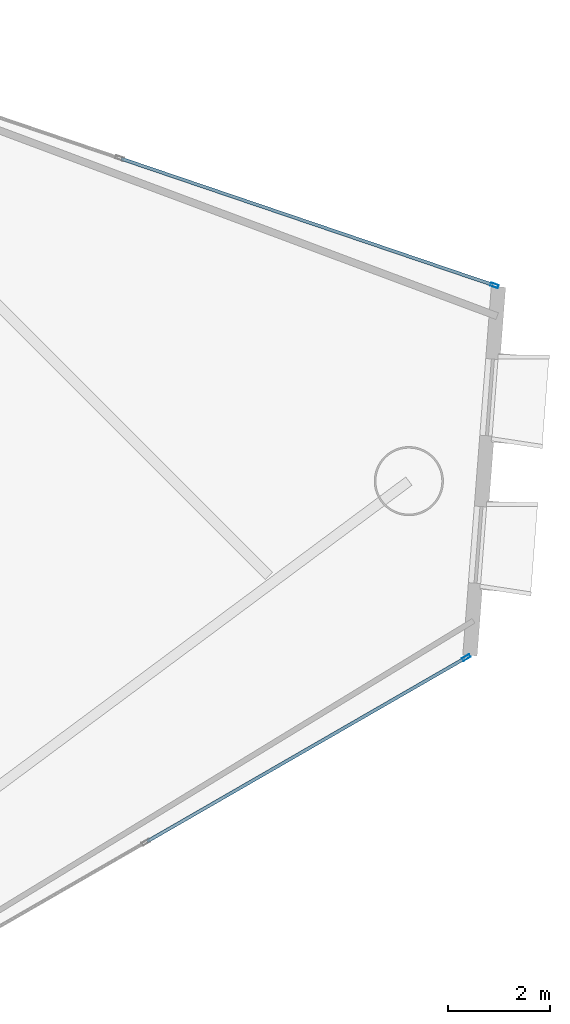
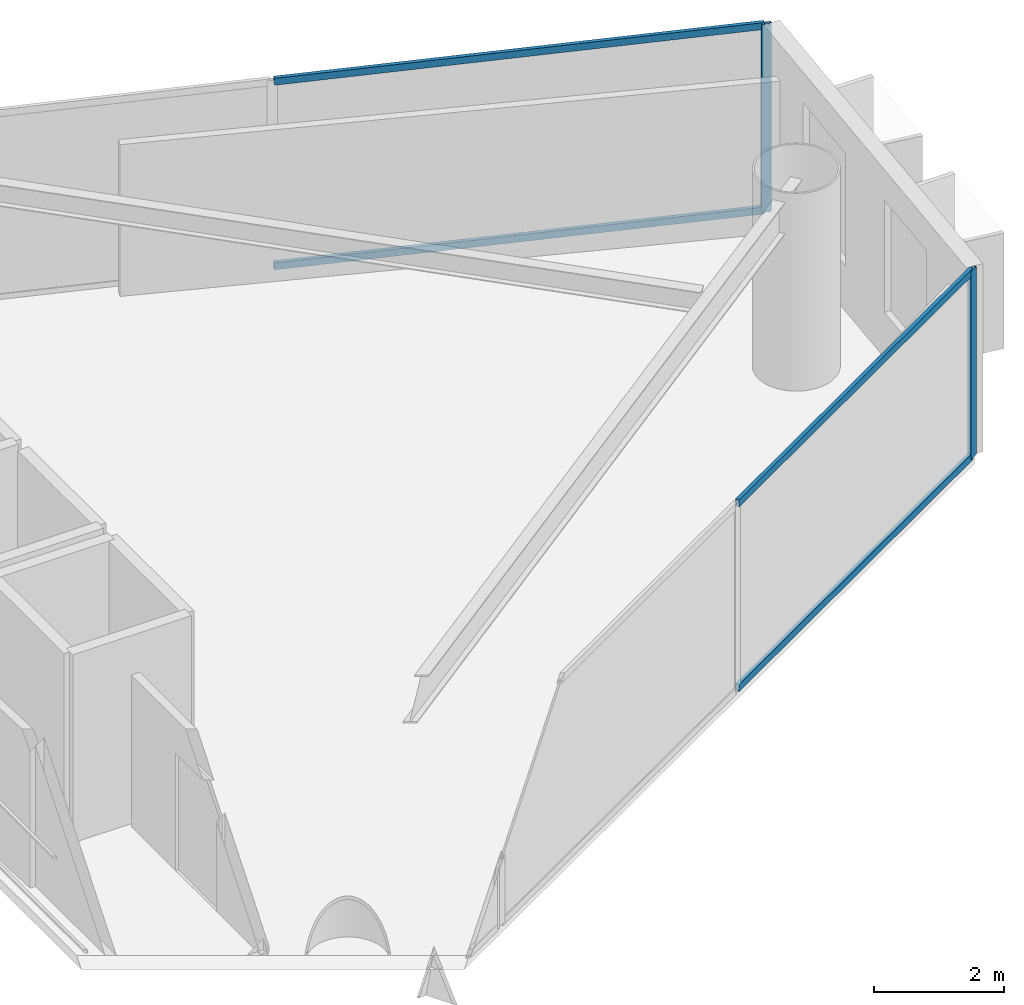
# One storey, part 15 of 22: 6 members, 2 elements without a shape of their own.
"""IFC4 building model written with IfcOpenShell, lengths in metres."""

from ifc_helpers import new_model, si_unit, direction, frame, origin, origin_2d, place, context, subcontext, project, spatial, hollow_rectangle, extrude, material, layer, layer_set, material_profile, profile_set, type_object, element, aggregate, save


model = new_model("IFC4")

# Units and contexts
model_context = context("Model", 3, precision=1e-05, world=origin(), true_north=direction((0.0, 1.0)))
body_context = subcontext(model_context, "Body", "Model", "MODEL_VIEW")
ifc_project = project(units=[si_unit("LENGTHUNIT", "METRE"), si_unit("AREAUNIT", "SQUARE_METRE"), si_unit("VOLUMEUNIT", "CUBIC_METRE"), si_unit("PLANEANGLEUNIT", "RADIAN"), si_unit("MASSUNIT", "GRAM", prefix="KILO")], contexts=[model_context])

# Site, building, storey
site_placement = place(None, origin())
site = spatial("IfcSite", under=ifc_project, at=site_placement, CompositionType="ELEMENT")
building_placement = place(site_placement, origin())
building = spatial("IfcBuilding", under=site, at=building_placement, Name="Qianvela Tower", CompositionType="ELEMENT")
storey_placement = place(building_placement, frame((0.0, 0.0, 169.800048828125)))
storey = spatial("IfcBuildingStorey", under=building, at=storey_placement, Name="L43", CompositionType="ELEMENT", Elevation=169.800048828125)

# Curtain wall, member
ifc_material_1 = material(Name="Anodised Architectural Aluminium and Low-E Glass", Category="aluminium")
ifc_layer = layer(ifc_material_1, 0.169921875)
ifc_layer_set = layer_set([ifc_layer], Name="Anodised Architectural Aluminium and Low-E Glass")
curtain_wall_type = type_object("IfcCurtainWallType", Name="CW-COLIV-Z34", PredefinedType="USERDEFINED", material=ifc_layer_set)
curtain_wall_1_placement = place(storey_placement, origin())
curtain_wall_1 = element("IfcCurtainWall", 1, at=curtain_wall_1_placement, inside=storey, type_object=curtain_wall_type, Name="L43 CW-COLIV-Z34 Curtain Wall 02A", ObjectType="CURTAIN_WALL_SYSTEM", PredefinedType="USERDEFINED")
ifc_material_2 = material(Name="Anodised Architectural Aluminium 6063-T6", Category="aluminium")
ifc_material_profile_1 = material_profile(ifc_material_2, hollow_rectangle(XDim=0.06494140625, YDim=0.159912109375, WallThickness=0.0048828125, at=origin_2d()), Name="ALU-MULL-65x160")
ifc_profile_set_1 = profile_set([ifc_material_profile_1], Name="Anodised Architectural Aluminium 6063-T6")
member_type_1 = type_object("IfcMemberType", Name="CW-COLIV-Z34-MULL", PredefinedType="MULLION", material=ifc_profile_set_1)
member_1_placement = place(storey_placement, frame((59.10546875, 31.4375, 0.0), z_axis=(0.0, 0.0, 1.0), x_axis=(-0.321488358379, -0.946913531124, 0.0)))
member_1 = element("IfcMember", 2, at=member_1_placement, type_object=member_type_1, Name="CW-4 mullion 1", PredefinedType="MULLION", context=body_context, shape_type="SweptSolid", body=[
    extrude(hollow_rectangle(XDim=0.06494140625, YDim=0.159912109375, WallThickness=0.0048828125, at=origin_2d()), origin(), (0.0, 0.0, 1.0), 3.52001953125),
])

curtain_wall_2_placement = place(storey_placement, origin())
curtain_wall_2 = element("IfcCurtainWall", 3, at=curtain_wall_2_placement, inside=storey, type_object=curtain_wall_type, Name="L43 CW-COLIV-Z34 Curtain Wall 06C", ObjectType="CURTAIN_WALL_SYSTEM", PredefinedType="USERDEFINED")
member_2_placement = place(storey_placement, frame((58.555419921875, 24.174072265625, 0.0), z_axis=(0.0, 0.0, 1.0), x_axis=(-0.499289940682, 0.866434968785, 0.0)))
member_2 = element("IfcMember", 4, at=member_2_placement, type_object=member_type_1, Name="CW-4 mullion 3", PredefinedType="MULLION", context=body_context, shape_type="SweptSolid", body=[
    extrude(hollow_rectangle(XDim=0.06494140625, YDim=0.159912109375, WallThickness=0.0048828125, at=origin_2d()), origin(), (0.0, 0.0, 1.0), 3.52001953125),
])

# Member
ifc_material_3 = material(Name="Anodised Architectural Aluminium 6063-T6", Category="aluminium")
ifc_material_profile_2 = material_profile(ifc_material_3, hollow_rectangle(XDim=0.06494140625, YDim=0.1298828125, WallThickness=0.00439453125, at=origin_2d()), Name="ALU-TRAN-65x130")
ifc_profile_set_2 = profile_set([ifc_material_profile_2], Name="Anodised Architectural Aluminium 6063-T6")
member_type_2 = type_object("IfcMemberType", Name="CW-COLIV-Z34-TRAN", PredefinedType="USERDEFINED", material=ifc_profile_set_2)
member_3_placement = place(storey_placement, frame((59.07470703125, 31.447998046875, 0.032470703125), z_axis=(-0.946913070108, 0.321489716255, 0.0), x_axis=(-0.321489716255, -0.946913070108, 0.0)))
member_3 = element("IfcMember", 5, at=member_3_placement, type_object=member_type_2, Name="CW-4 transom 1.1", ObjectType="TRANSOM", PredefinedType="USERDEFINED", context=body_context, shape_type="SweptSolid", body=[
    extrude(hollow_rectangle(XDim=0.06494140625, YDim=0.1298828125, WallThickness=0.00439453125, at=origin_2d()), origin(), (0.0, 0.0, 1.0), 7.662353515625),
])

member_4_placement = place(storey_placement, frame((59.07470703125, 31.447998046875, 3.487548828125), z_axis=(-0.946913070108, 0.321489716255, 0.0), x_axis=(-0.321489716255, -0.946913070108, 0.0)))
member_4 = element("IfcMember", 6, at=member_4_placement, type_object=member_type_2, Name="CW-4 transom 1.2", ObjectType="TRANSOM", PredefinedType="USERDEFINED", context=body_context, shape_type="SweptSolid", body=[
    extrude(hollow_rectangle(XDim=0.06494140625, YDim=0.1298828125, WallThickness=0.00439453125, at=origin_2d()), origin(), (0.0, 0.0, 1.0), 7.662353515625),
])

aggregate(curtain_wall_1, [member_1, member_3, member_4])

member_5_placement = place(storey_placement, frame((52.3271484375, 20.5849609375, 0.032470703125), z_axis=(0.866429714811, 0.499299057972, 0.0), x_axis=(-0.499299057972, 0.866429714811, 0.0)))
member_5 = element("IfcMember", 7, at=member_5_placement, type_object=member_type_2, Name="CW-4 transom 2.1", ObjectType="TRANSOM", PredefinedType="USERDEFINED", context=body_context, shape_type="SweptSolid", body=[
    extrude(hollow_rectangle(XDim=0.06494140625, YDim=0.1298828125, WallThickness=0.00439453125, at=origin_2d()), origin(), (0.0, 0.0, 1.0), 7.156005859375),
])

member_6_placement = place(storey_placement, frame((52.3271484375, 20.5849609375, 3.487548828125), z_axis=(0.866429714811, 0.499299057972, 0.0), x_axis=(-0.499299057972, 0.866429714811, 0.0)))
member_6 = element("IfcMember", 8, at=member_6_placement, type_object=member_type_2, Name="CW-4 transom 2.2", ObjectType="TRANSOM", PredefinedType="USERDEFINED", context=body_context, shape_type="SweptSolid", body=[
    extrude(hollow_rectangle(XDim=0.06494140625, YDim=0.1298828125, WallThickness=0.00439453125, at=origin_2d()), origin(), (0.0, 0.0, 1.0), 7.156005859375),
])

aggregate(curtain_wall_2, [member_2, member_5, member_6])

save(model, "model.ifc")
